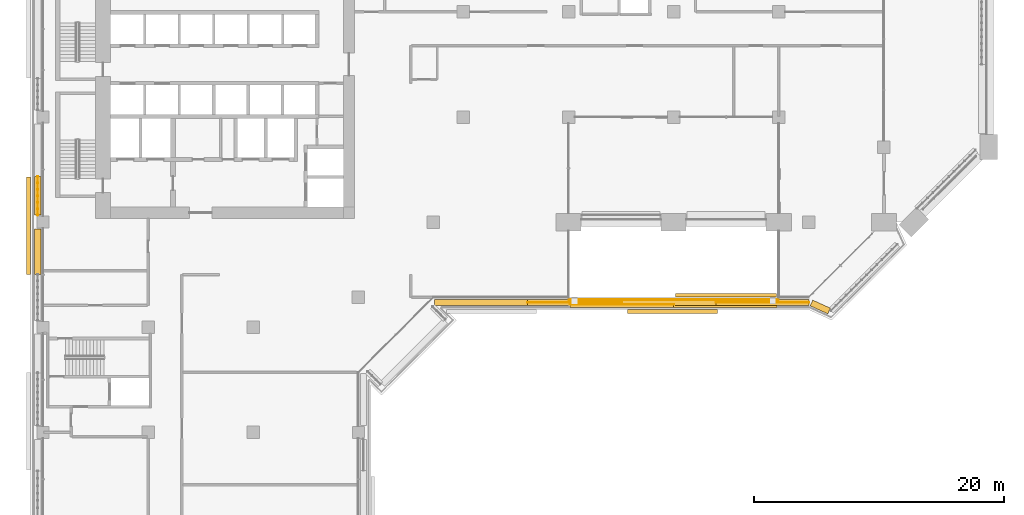
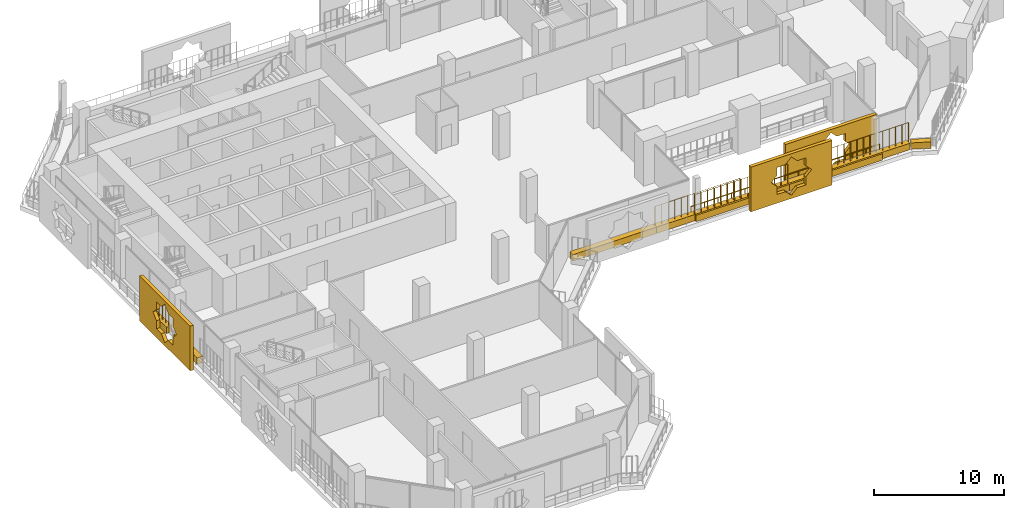
# One storey, part 19 of 23: 12 coverings, 5 railings.
"""IFC4 building model written with IfcOpenShell, lengths in metres."""

from ifc_helpers import new_model, si_unit, direction, frame, origin, origin_2d, place, context, subcontext, project, spatial, polyline, rectangle, circle, outline, extrude, material, material_profile, profile_set, type_object, element, save


model = new_model("IFC4")

# Units and contexts
model_context = context("Model", 3, precision=1e-05, world=origin(), true_north=direction((0.0, 1.0)))
body_context = subcontext(model_context, "Body", "Model", "MODEL_VIEW")
ifc_project = project(units=[si_unit("LENGTHUNIT", "METRE"), si_unit("AREAUNIT", "SQUARE_METRE"), si_unit("VOLUMEUNIT", "CUBIC_METRE"), si_unit("PLANEANGLEUNIT", "RADIAN"), si_unit("MASSUNIT", "GRAM", prefix="KILO")], contexts=[model_context])

# Site, building, storey
site_placement = place(None, origin())
site = spatial("IfcSite", under=ifc_project, at=site_placement, CompositionType="ELEMENT")
building_placement = place(site_placement, origin())
building = spatial("IfcBuilding", under=site, at=building_placement, Name="Kawkab Arch Medical Tower", CompositionType="ELEMENT")
storey_placement = place(building_placement, frame((0.0, 0.0, 158.39990234375)))
storey = spatial("IfcBuildingStorey", under=building, at=storey_placement, Name="L36", CompositionType="ELEMENT", Elevation=158.39990234375)

# Railing
ifc_material_1 = material(Name="Bronze anodised aluminium guard", Category="aluminium")
railing_type_1 = type_object("IfcRailingType", Name="Loggia and terrace guard 1100", PredefinedType="GUARDRAIL", material=ifc_material_1)
railing_1_placement = place(storey_placement, frame((42.030029296875, -31.39990234375, 0.0)))
element("IfcRailing", 1, at=railing_1_placement, inside=storey, type_object=railing_type_1, Name="Guard L36.LOG-01.1.1", PredefinedType="GUARDRAIL", context=body_context, shape_type="SweptSolid", body=[
    extrude(circle(Radius=0.02392578125, at=origin_2d()), frame((0.0, 0.0, 1.076171875), z_axis=(1.0, 0.0, 0.0), x_axis=(0.0, 1.0, 0.0)), (0.0, 0.0, 1.0), 16.739990234375),
    extrude(circle(Radius=0.02099609375, at=origin_2d()), origin(), (0.0, 0.0, 1.0), 1.052001953125),
    extrude(circle(Radius=0.02099609375, at=origin_2d()), frame((1.19580078125, 0.0, 0.0)), (0.0, 0.0, 1.0), 1.052001953125),
    extrude(circle(Radius=0.02099609375, at=origin_2d()), frame((2.391357421875, 0.0, 0.0)), (0.0, 0.0, 1.0), 1.052001953125),
    extrude(circle(Radius=0.02099609375, at=origin_2d()), frame((3.587158203125, 0.0, 0.0)), (0.0, 0.0, 1.0), 1.052001953125),
    extrude(circle(Radius=0.02099609375, at=origin_2d()), frame((4.782958984375, 0.0, 0.0)), (0.0, 0.0, 1.0), 1.052001953125),
    extrude(circle(Radius=0.02099609375, at=origin_2d()), frame((5.978515625, 0.0, 0.0)), (0.0, 0.0, 1.0), 1.052001953125),
    extrude(circle(Radius=0.02099609375, at=origin_2d()), frame((7.17431640625, 0.0, 0.0)), (0.0, 0.0, 1.0), 1.052001953125),
    extrude(circle(Radius=0.02099609375, at=origin_2d()), frame((8.3701171875, 0.0, 0.0)), (0.0, 0.0, 1.0), 1.052001953125),
    extrude(circle(Radius=0.02099609375, at=origin_2d()), frame((9.565673828125, 0.0, 0.0)), (0.0, 0.0, 1.0), 1.052001953125),
    extrude(circle(Radius=0.02099609375, at=origin_2d()), frame((10.761474609375, 0.0, 0.0)), (0.0, 0.0, 1.0), 1.052001953125),
    extrude(circle(Radius=0.02099609375, at=origin_2d()), frame((11.95703125, 0.0, 0.0)), (0.0, 0.0, 1.0), 1.052001953125),
    extrude(circle(Radius=0.02099609375, at=origin_2d()), frame((13.15283203125, 0.0, 0.0)), (0.0, 0.0, 1.0), 1.052001953125),
    extrude(circle(Radius=0.02099609375, at=origin_2d()), frame((14.3486328125, 0.0, 0.0)), (0.0, 0.0, 1.0), 1.052001953125),
    extrude(circle(Radius=0.02099609375, at=origin_2d()), frame((15.544189453125, 0.0, 0.0)), (0.0, 0.0, 1.0), 1.052001953125),
    extrude(circle(Radius=0.02099609375, at=origin_2d()), frame((16.739990234375, 0.0, 0.0)), (0.0, 0.0, 1.0), 1.052001953125),
])

# Coverings
ifc_material_2 = material(Name="Bronze anodised aluminium mashrabiya panel, eight-point star pattern", Category="aluminium")
ifc_material_profile_1 = material_profile(ifc_material_2, outline(polyline([(-3.60009765625, -2.10009765625), (3.60009765625, -2.10009765625), (3.60009765625, 2.10009765625), (-3.60009765625, 2.10009765625), (-3.60009765625, -2.10009765625)]), holes=[polyline([(1.800048828125, 0.0), (1.272705078125, 0.527099609375), (1.272705078125, 1.272705078125), (0.527099609375, 1.272705078125), (0.0, 1.800048828125), (-0.527099609375, 1.272705078125), (-1.272705078125, 1.272705078125), (-1.272705078125, 0.527099609375), (-1.800048828125, 0.0), (-1.272705078125, -0.527099609375), (-1.272705078125, -1.272705078125), (-0.527099609375, -1.272705078125), (0.0, -1.800048828125), (0.527099609375, -1.272705078125), (1.272705078125, -1.272705078125), (1.272705078125, -0.527099609375), (1.800048828125, 0.0)])]), Name="Mashrabiya panel 7200x4200")
ifc_profile_set_1 = profile_set([ifc_material_profile_1], Name="Bronze anodised aluminium mashrabiya panel, eight-point star pattern")
covering_type_1 = type_object("IfcCoveringType", Name="Mashrabiya panel 7200 x 4200", PredefinedType="USERDEFINED", material=ifc_profile_set_1)
covering_1_placement = place(storey_placement, frame((50.31982421875, -32.199951171875, 1.7001953125), z_axis=(0.0, -1.0, 0.0), x_axis=(1.0, 0.0, 0.0)))
element("IfcCovering", 2, at=covering_1_placement, inside=storey, type_object=covering_type_1, Name="Mashrabiya panel L36.LOG-01-02.1", ObjectType="SCREEN", PredefinedType="USERDEFINED", context=body_context, shape_type="SweptSolid", body=[
    extrude(outline(polyline([(-3.60009765625, -2.10009765625), (3.60009765625, -2.10009765625), (3.60009765625, 2.10009765625), (-3.60009765625, 2.10009765625), (-3.60009765625, -2.10009765625)]), holes=[polyline([(1.800048828125, 0.0), (1.272705078125, 0.527099609375), (1.272705078125, 1.272705078125), (0.527099609375, 1.272705078125), (0.0, 1.800048828125), (-0.527099609375, 1.272705078125), (-1.272705078125, 1.272705078125), (-1.272705078125, 0.527099609375), (-1.800048828125, 0.0), (-1.272705078125, -0.527099609375), (-1.272705078125, -1.272705078125), (-0.527099609375, -1.272705078125), (0.0, -1.800048828125), (0.527099609375, -1.272705078125), (1.272705078125, -1.272705078125), (1.272705078125, -0.527099609375), (1.800048828125, 0.0)])]), origin(), (0.0, 0.0, 1.0), 0.300048828125),
])
ifc_material_3 = material(Name="Bronze anodised aluminium mashrabiya panel, eight-point star pattern", Category="aluminium")
ifc_material_profile_2 = material_profile(ifc_material_3, outline(polyline([(-3.89990234375, -2.10009765625), (3.89990234375, -2.10009765625), (3.89990234375, 2.10009765625), (-3.89990234375, 2.10009765625), (-3.89990234375, -2.10009765625)]), holes=[polyline([(1.800048828125, 0.0), (1.272705078125, 0.527099609375), (1.272705078125, 1.272705078125), (0.527099609375, 1.272705078125), (0.0, 1.800048828125), (-0.527099609375, 1.272705078125), (-1.272705078125, 1.272705078125), (-1.272705078125, 0.527099609375), (-1.800048828125, 0.0), (-1.272705078125, -0.527099609375), (-1.272705078125, -1.272705078125), (-0.527099609375, -1.272705078125), (0.0, -1.800048828125), (0.527099609375, -1.272705078125), (1.272705078125, -1.272705078125), (1.272705078125, -0.527099609375), (1.800048828125, 0.0)])]), Name="Mashrabiya panel 7800x4200")
ifc_profile_set_2 = profile_set([ifc_material_profile_2], Name="Bronze anodised aluminium mashrabiya panel, eight-point star pattern")
covering_type_2 = type_object("IfcCoveringType", Name="Mashrabiya panel 7800 x 4200", PredefinedType="USERDEFINED", material=ifc_profile_set_2)
covering_2_placement = place(storey_placement, frame((-1.0, -25.49951171875, 1.7001953125), z_axis=(-1.0, 0.0, 0.0), x_axis=(0.0, -1.0, 0.0)))
element("IfcCovering", 3, at=covering_2_placement, inside=storey, type_object=covering_type_2, Name="Mashrabiya panel L36.LOG-01-02.6", ObjectType="SCREEN", PredefinedType="USERDEFINED", context=body_context, shape_type="SweptSolid", body=[
    extrude(outline(polyline([(-3.89990234375, -2.10009765625), (3.89990234375, -2.10009765625), (3.89990234375, 2.10009765625), (-3.89990234375, 2.10009765625), (-3.89990234375, -2.10009765625)]), holes=[polyline([(1.800048828125, 0.0), (1.272705078125, 0.527099609375), (1.272705078125, 1.272705078125), (0.527099609375, 1.272705078125), (0.0, 1.800048828125), (-0.527099609375, 1.272705078125), (-1.272705078125, 1.272705078125), (-1.272705078125, 0.527099609375), (-1.800048828125, 0.0), (-1.272705078125, -0.527099609375), (-1.272705078125, -1.272705078125), (-0.527099609375, -1.272705078125), (0.0, -1.800048828125), (0.527099609375, -1.272705078125), (1.272705078125, -1.272705078125), (1.272705078125, -0.527099609375), (1.800048828125, 0.0)])]), origin(), (0.0, 0.0, 1.0), 0.300048828125),
])
ifc_material_4 = material(Name="Bronze anodised aluminium mashrabiya panel, eight-point star pattern", Category="aluminium")
ifc_material_profile_3 = material_profile(ifc_material_4, outline(polyline([(-4.050048828125, -2.10009765625), (4.050048828125, -2.10009765625), (4.050048828125, 2.10009765625), (-4.050048828125, 2.10009765625), (-4.050048828125, -2.10009765625)]), holes=[polyline([(1.800048828125, 0.0), (1.272705078125, 0.527099609375), (1.272705078125, 1.272705078125), (0.527099609375, 1.272705078125), (0.0, 1.800048828125), (-0.527099609375, 1.272705078125), (-1.272705078125, 1.272705078125), (-1.272705078125, 0.527099609375), (-1.800048828125, 0.0), (-1.272705078125, -0.527099609375), (-1.272705078125, -1.272705078125), (-0.527099609375, -1.272705078125), (0.0, -1.800048828125), (0.527099609375, -1.272705078125), (1.272705078125, -1.272705078125), (1.272705078125, -0.527099609375), (1.800048828125, 0.0)])]), Name="Mashrabiya panel 8100x4200")
ifc_profile_set_3 = profile_set([ifc_material_profile_3], Name="Bronze anodised aluminium mashrabiya panel, eight-point star pattern")
covering_type_3 = type_object("IfcCoveringType", Name="Mashrabiya panel 8100 x 4200", PredefinedType="USERDEFINED", material=ifc_profile_set_3)
covering_3_placement = place(storey_placement, frame((54.5849609375, -31.199951171875, 1.7001953125), z_axis=(0.0, 1.0, 0.0), x_axis=(-1.0, 0.0, 0.0)))
element("IfcCovering", 4, at=covering_3_placement, inside=storey, type_object=covering_type_3, Name="Mashrabiya panel L36.LOG-01-01.1", ObjectType="SCREEN", PredefinedType="USERDEFINED", context=body_context, shape_type="SweptSolid", body=[
    extrude(outline(polyline([(-4.050048828125, -2.10009765625), (4.050048828125, -2.10009765625), (4.050048828125, 2.10009765625), (-4.050048828125, 2.10009765625), (-4.050048828125, -2.10009765625)]), holes=[polyline([(1.800048828125, 0.0), (1.272705078125, 0.527099609375), (1.272705078125, 1.272705078125), (0.527099609375, 1.272705078125), (0.0, 1.800048828125), (-0.527099609375, 1.272705078125), (-1.272705078125, 1.272705078125), (-1.272705078125, 0.527099609375), (-1.800048828125, 0.0), (-1.272705078125, -0.527099609375), (-1.272705078125, -1.272705078125), (-0.527099609375, -1.272705078125), (0.0, -1.800048828125), (0.527099609375, -1.272705078125), (1.272705078125, -1.272705078125), (1.272705078125, -0.527099609375), (1.800048828125, 0.0)])]), origin(), (0.0, 0.0, 1.0), 0.300048828125),
])
ifc_material_5 = material(Name="Planting soil in a precast trough", Category="concrete")
ifc_material_profile_4 = material_profile(ifc_material_5, rectangle(XDim=0.5, YDim=0.60009765625, at=origin_2d()), Name="Trough 500x600")
ifc_profile_set_4 = profile_set([ifc_material_profile_4], Name="Planting soil in a precast trough")
covering_type_4 = type_object("IfcCoveringType", Name="Planter trough 500 x 600", PredefinedType="USERDEFINED", material=ifc_profile_set_4)
for number, where, z_axis, x_axis, name in (
    (5, (42.1298828125, -31.780029296875, 0.300048828125), (1.0, 0.0, 0.0), (0.0, 1.0, 0.0), "Planter L36.LOG-01-01.1"),
    (6, (50.39990234375, -31.780029296875, 0.300048828125), (1.0, 0.0, 0.0), (0.0, 1.0, 0.0), "Planter L36.LOG-01-01.2"),
):
    element("IfcCovering", number, at=place(storey_placement, frame(where, z_axis=z_axis, x_axis=x_axis)), inside=storey, type_object=covering_type_4, Name=name, ObjectType="PLANTER", PredefinedType="USERDEFINED", context=body_context, shape_type="SweptSolid", body=[
        extrude(rectangle(XDim=0.5, YDim=0.60009765625, at=origin_2d()), origin(), (0.0, 0.0, 1.0), 8.27001953125),
    ])
covering_4_placement = place(storey_placement, frame((62.821044921875, -32.302001953125, 0.300048828125), z_axis=(-0.909655525109, 0.415363486165, 0.0), x_axis=(-0.415363486165, -0.909655525109, 0.0)))
element("IfcCovering", 7, at=covering_4_placement, inside=storey, type_object=covering_type_4, Name="Planter L36.LOG-01-02.2", ObjectType="PLANTER", PredefinedType="USERDEFINED", context=body_context, shape_type="SweptSolid", body=[
    extrude(rectangle(XDim=0.5, YDim=0.60009765625, at=origin_2d()), origin(), (0.0, 0.0, 1.0), 1.54345703125),
])
covering_5_placement = place(storey_placement, frame((61.22607421875, -31.6201171875, 0.300048828125), z_axis=(-1.0, 0.0, 0.0), x_axis=(0.0, -1.0, 0.0)))
element("IfcCovering", 8, at=covering_5_placement, inside=storey, type_object=covering_type_4, Name="Planter L36.LOG-01-02.3", ObjectType="PLANTER", PredefinedType="USERDEFINED", context=body_context, shape_type="SweptSolid", body=[
    extrude(rectangle(XDim=0.5, YDim=0.60009765625, at=origin_2d()), origin(), (0.0, 0.0, 1.0), 7.43505859375),
])
covering_6_placement = place(storey_placement, frame((53.791015625, -31.6201171875, 0.300048828125), z_axis=(-1.0, 0.0, 0.0), x_axis=(0.0, -1.0, 0.0)))
element("IfcCovering", 9, at=covering_6_placement, inside=storey, type_object=covering_type_4, Name="Planter L36.LOG-01-02.4", ObjectType="PLANTER", PredefinedType="USERDEFINED", context=body_context, shape_type="SweptSolid", body=[
    extrude(rectangle(XDim=0.5, YDim=0.60009765625, at=origin_2d()), origin(), (0.0, 0.0, 1.0), 7.5361328125),
])
covering_7_placement = place(storey_placement, frame((46.2548828125, -31.6201171875, 0.300048828125), z_axis=(-1.0, 0.0, 0.0), x_axis=(0.0, -1.0, 0.0)))
element("IfcCovering", 10, at=covering_7_placement, inside=storey, type_object=covering_type_4, Name="Planter L36.LOG-01-02.5", ObjectType="PLANTER", PredefinedType="USERDEFINED", context=body_context, shape_type="SweptSolid", body=[
    extrude(rectangle(XDim=0.5, YDim=0.60009765625, at=origin_2d()), origin(), (0.0, 0.0, 1.0), 7.534912109375),
])
covering_8_placement = place(storey_placement, frame((38.719970703125, -31.6201171875, 0.300048828125), z_axis=(-1.0, 0.0, 0.0), x_axis=(0.0, -1.0, 0.0)))
element("IfcCovering", 11, at=covering_8_placement, inside=storey, type_object=covering_type_4, Name="Planter L36.LOG-01-02.6", ObjectType="PLANTER", PredefinedType="USERDEFINED", context=body_context, shape_type="SweptSolid", body=[
    extrude(rectangle(XDim=0.5, YDim=0.60009765625, at=origin_2d()), origin(), (0.0, 0.0, 1.0), 7.43505859375),
])
covering_9_placement = place(storey_placement, frame((-0.419921875, -29.39990234375, 0.300048828125), z_axis=(0.0, 1.0, 0.0), x_axis=(-1.0, 0.0, 0.0)))
element("IfcCovering", 12, at=covering_9_placement, inside=storey, type_object=covering_type_4, Name="Planter L36.LOG-01-02.26", ObjectType="PLANTER", PredefinedType="USERDEFINED", context=body_context, shape_type="SweptSolid", body=[
    extrude(rectangle(XDim=0.5, YDim=0.60009765625, at=origin_2d()), origin(), (0.0, 0.0, 1.0), 3.64501953125),
])
covering_10_placement = place(storey_placement, frame((-0.419921875, -24.64501953125, 0.300048828125), z_axis=(0.0, 1.0, 0.0), x_axis=(-1.0, 0.0, 0.0)))
element("IfcCovering", 13, at=covering_10_placement, inside=storey, type_object=covering_type_4, Name="Planter L36.LOG-01-02.27", ObjectType="PLANTER", PredefinedType="USERDEFINED", context=body_context, shape_type="SweptSolid", body=[
    extrude(rectangle(XDim=0.5, YDim=0.60009765625, at=origin_2d()), origin(), (0.0, 0.0, 1.0), 3.0869140625),
])

# Railings
ifc_material_6 = material(Name="Bronze anodised aluminium trellis for climbing plants", Category="aluminium")
railing_type_2 = type_object("IfcRailingType", Name="Planting trellis 2400", PredefinedType="USERDEFINED", material=ifc_material_6)
railing_2_placement = place(storey_placement, frame((42.1298828125, -31.780029296875, 0.0)))
element("IfcRailing", 14, at=railing_2_placement, inside=storey, type_object=railing_type_2, Name="Planting trellis L36.LOG-01-01.1", ObjectType="TRELLIS", PredefinedType="USERDEFINED", context=body_context, shape_type="SweptSolid", body=[
    extrude(circle(Radius=0.01513671875, at=origin_2d()), frame((0.0, 0.0, 2.384765625), z_axis=(1.0, 0.0, 0.0), x_axis=(0.0, 1.0, 0.0)), (0.0, 0.0, 1.0), 8.27001953125),
    extrude(circle(Radius=0.030029296875, at=origin_2d()), origin(), (0.0, 0.0, 1.0), 2.369873046875),
    extrude(circle(Radius=0.030029296875, at=origin_2d()), frame((0.5908203125, 0.0, 0.0)), (0.0, 0.0, 1.0), 2.369873046875),
    extrude(circle(Radius=0.030029296875, at=origin_2d()), frame((1.181396484375, 0.0, 0.0)), (0.0, 0.0, 1.0), 2.369873046875),
    extrude(circle(Radius=0.030029296875, at=origin_2d()), frame((1.772216796875, 0.0, 0.0)), (0.0, 0.0, 1.0), 2.369873046875),
    extrude(circle(Radius=0.030029296875, at=origin_2d()), frame((2.36279296875, 0.0, 0.0)), (0.0, 0.0, 1.0), 2.369873046875),
    extrude(circle(Radius=0.030029296875, at=origin_2d()), frame((2.95361328125, 0.0, 0.0)), (0.0, 0.0, 1.0), 2.369873046875),
    extrude(circle(Radius=0.030029296875, at=origin_2d()), frame((3.544189453125, 0.0, 0.0)), (0.0, 0.0, 1.0), 2.369873046875),
    extrude(circle(Radius=0.030029296875, at=origin_2d()), frame((4.135009765625, 0.0, 0.0)), (0.0, 0.0, 1.0), 2.369873046875),
    extrude(circle(Radius=0.030029296875, at=origin_2d()), frame((4.725830078125, 0.0, 0.0)), (0.0, 0.0, 1.0), 2.369873046875),
    extrude(circle(Radius=0.030029296875, at=origin_2d()), frame((5.31640625, 0.0, 0.0)), (0.0, 0.0, 1.0), 2.369873046875),
    extrude(circle(Radius=0.030029296875, at=origin_2d()), frame((5.9072265625, 0.0, 0.0)), (0.0, 0.0, 1.0), 2.369873046875),
    extrude(circle(Radius=0.030029296875, at=origin_2d()), frame((6.497802734375, 0.0, 0.0)), (0.0, 0.0, 1.0), 2.369873046875),
    extrude(circle(Radius=0.030029296875, at=origin_2d()), frame((7.088623046875, 0.0, 0.0)), (0.0, 0.0, 1.0), 2.369873046875),
    extrude(circle(Radius=0.030029296875, at=origin_2d()), frame((7.67919921875, 0.0, 0.0)), (0.0, 0.0, 1.0), 2.369873046875),
    extrude(circle(Radius=0.030029296875, at=origin_2d()), frame((8.27001953125, 0.0, 0.0)), (0.0, 0.0, 1.0), 2.369873046875),
])
railing_3_placement = place(storey_placement, frame((61.22607421875, -31.6201171875, 0.0)))
element("IfcRailing", 15, at=railing_3_placement, inside=storey, type_object=railing_type_2, Name="Planting trellis L36.LOG-01-02.3", ObjectType="TRELLIS", PredefinedType="USERDEFINED", context=body_context, shape_type="SweptSolid", body=[
    extrude(circle(Radius=0.01513671875, at=origin_2d()), frame((0.0, 0.0, 2.384765625), z_axis=(-1.0, 0.0, 0.0), x_axis=(0.0, -1.0, 0.0)), (0.0, 0.0, 1.0), 7.43505859375),
    extrude(circle(Radius=0.030029296875, at=origin_2d()), origin(), (0.0, 0.0, 1.0), 2.369873046875),
    extrude(circle(Radius=0.030029296875, at=origin_2d()), frame((-0.572021484375, 0.0, 0.0)), (0.0, 0.0, 1.0), 2.369873046875),
    extrude(circle(Radius=0.030029296875, at=origin_2d()), frame((-1.143798828125, 0.0, 0.0)), (0.0, 0.0, 1.0), 2.369873046875),
    extrude(circle(Radius=0.030029296875, at=origin_2d()), frame((-1.7158203125, 0.0, 0.0)), (0.0, 0.0, 1.0), 2.369873046875),
    extrude(circle(Radius=0.030029296875, at=origin_2d()), frame((-2.28759765625, 0.0, 0.0)), (0.0, 0.0, 1.0), 2.369873046875),
    extrude(circle(Radius=0.030029296875, at=origin_2d()), frame((-2.859619140625, 0.0, 0.0)), (0.0, 0.0, 1.0), 2.369873046875),
    extrude(circle(Radius=0.030029296875, at=origin_2d()), frame((-3.431640625, 0.0, 0.0)), (0.0, 0.0, 1.0), 2.369873046875),
    extrude(circle(Radius=0.030029296875, at=origin_2d()), frame((-4.00341796875, 0.0, 0.0)), (0.0, 0.0, 1.0), 2.369873046875),
    extrude(circle(Radius=0.030029296875, at=origin_2d()), frame((-4.575439453125, 0.0, 0.0)), (0.0, 0.0, 1.0), 2.369873046875),
    extrude(circle(Radius=0.030029296875, at=origin_2d()), frame((-5.1474609375, 0.0, 0.0)), (0.0, 0.0, 1.0), 2.369873046875),
    extrude(circle(Radius=0.030029296875, at=origin_2d()), frame((-5.71923828125, 0.0, 0.0)), (0.0, 0.0, 1.0), 2.369873046875),
    extrude(circle(Radius=0.030029296875, at=origin_2d()), frame((-6.291259765625, 0.0, 0.0)), (0.0, 0.0, 1.0), 2.369873046875),
    extrude(circle(Radius=0.030029296875, at=origin_2d()), frame((-6.863037109375, 0.0, 0.0)), (0.0, 0.0, 1.0), 2.369873046875),
    extrude(circle(Radius=0.030029296875, at=origin_2d()), frame((-7.43505859375, 0.0, 0.0)), (0.0, 0.0, 1.0), 2.369873046875),
])
railing_4_placement = place(storey_placement, frame((46.2548828125, -31.6201171875, 0.0)))
element("IfcRailing", 16, at=railing_4_placement, inside=storey, type_object=railing_type_2, Name="Planting trellis L36.LOG-01-02.5", ObjectType="TRELLIS", PredefinedType="USERDEFINED", context=body_context, shape_type="SweptSolid", body=[
    extrude(circle(Radius=0.01513671875, at=origin_2d()), frame((0.0, 0.0, 2.384765625), z_axis=(-1.0, 0.0, 0.0), x_axis=(0.0, -1.0, 0.0)), (0.0, 0.0, 1.0), 7.534912109375),
    extrude(circle(Radius=0.030029296875, at=origin_2d()), origin(), (0.0, 0.0, 1.0), 2.369873046875),
    extrude(circle(Radius=0.030029296875, at=origin_2d()), frame((-0.57958984375, 0.0, 0.0)), (0.0, 0.0, 1.0), 2.369873046875),
    extrude(circle(Radius=0.030029296875, at=origin_2d()), frame((-1.1591796875, 0.0, 0.0)), (0.0, 0.0, 1.0), 2.369873046875),
    extrude(circle(Radius=0.030029296875, at=origin_2d()), frame((-1.73876953125, 0.0, 0.0)), (0.0, 0.0, 1.0), 2.369873046875),
    extrude(circle(Radius=0.030029296875, at=origin_2d()), frame((-2.318359375, 0.0, 0.0)), (0.0, 0.0, 1.0), 2.369873046875),
    extrude(circle(Radius=0.030029296875, at=origin_2d()), frame((-2.89794921875, 0.0, 0.0)), (0.0, 0.0, 1.0), 2.369873046875),
    extrude(circle(Radius=0.030029296875, at=origin_2d()), frame((-3.4775390625, 0.0, 0.0)), (0.0, 0.0, 1.0), 2.369873046875),
    extrude(circle(Radius=0.030029296875, at=origin_2d()), frame((-4.057373046875, 0.0, 0.0)), (0.0, 0.0, 1.0), 2.369873046875),
    extrude(circle(Radius=0.030029296875, at=origin_2d()), frame((-4.636962890625, 0.0, 0.0)), (0.0, 0.0, 1.0), 2.369873046875),
    extrude(circle(Radius=0.030029296875, at=origin_2d()), frame((-5.216552734375, 0.0, 0.0)), (0.0, 0.0, 1.0), 2.369873046875),
    extrude(circle(Radius=0.030029296875, at=origin_2d()), frame((-5.796142578125, 0.0, 0.0)), (0.0, 0.0, 1.0), 2.369873046875),
    extrude(circle(Radius=0.030029296875, at=origin_2d()), frame((-6.375732421875, 0.0, 0.0)), (0.0, 0.0, 1.0), 2.369873046875),
    extrude(circle(Radius=0.030029296875, at=origin_2d()), frame((-6.955322265625, 0.0, 0.0)), (0.0, 0.0, 1.0), 2.369873046875),
    extrude(circle(Radius=0.030029296875, at=origin_2d()), frame((-7.534912109375, 0.0, 0.0)), (0.0, 0.0, 1.0), 2.369873046875),
])
railing_5_placement = place(storey_placement, frame((-0.419921875, -24.64501953125, 0.0)))
element("IfcRailing", 17, at=railing_5_placement, inside=storey, type_object=railing_type_2, Name="Planting trellis L36.LOG-01-02.27", ObjectType="TRELLIS", PredefinedType="USERDEFINED", context=body_context, shape_type="SweptSolid", body=[
    extrude(circle(Radius=0.01513671875, at=origin_2d()), frame((0.0, 0.0, 2.384765625), z_axis=(0.0, 1.0, 0.0), x_axis=(-1.0, 0.0, 0.0)), (0.0, 0.0, 1.0), 3.0869140625),
    extrude(circle(Radius=0.030029296875, at=origin_2d()), origin(), (0.0, 0.0, 1.0), 2.369873046875),
    extrude(circle(Radius=0.030029296875, at=origin_2d()), frame((0.0, 0.514404296875, 0.0)), (0.0, 0.0, 1.0), 2.369873046875),
    extrude(circle(Radius=0.030029296875, at=origin_2d()), frame((0.0, 1.029052734375, 0.0)), (0.0, 0.0, 1.0), 2.369873046875),
    extrude(circle(Radius=0.030029296875, at=origin_2d()), frame((0.0, 1.54345703125, 0.0)), (0.0, 0.0, 1.0), 2.369873046875),
    extrude(circle(Radius=0.030029296875, at=origin_2d()), frame((0.0, 2.057861328125, 0.0)), (0.0, 0.0, 1.0), 2.369873046875),
    extrude(circle(Radius=0.030029296875, at=origin_2d()), frame((0.0, 2.572509765625, 0.0)), (0.0, 0.0, 1.0), 2.369873046875),
    extrude(circle(Radius=0.030029296875, at=origin_2d()), frame((0.0, 3.0869140625, 0.0)), (0.0, 0.0, 1.0), 2.369873046875),
])

save(model, "model.ifc")
